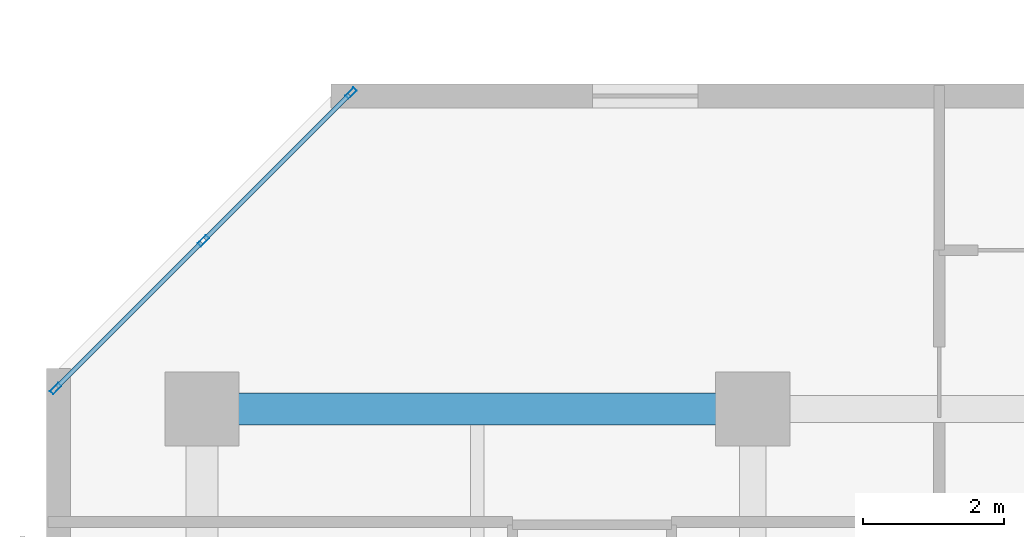
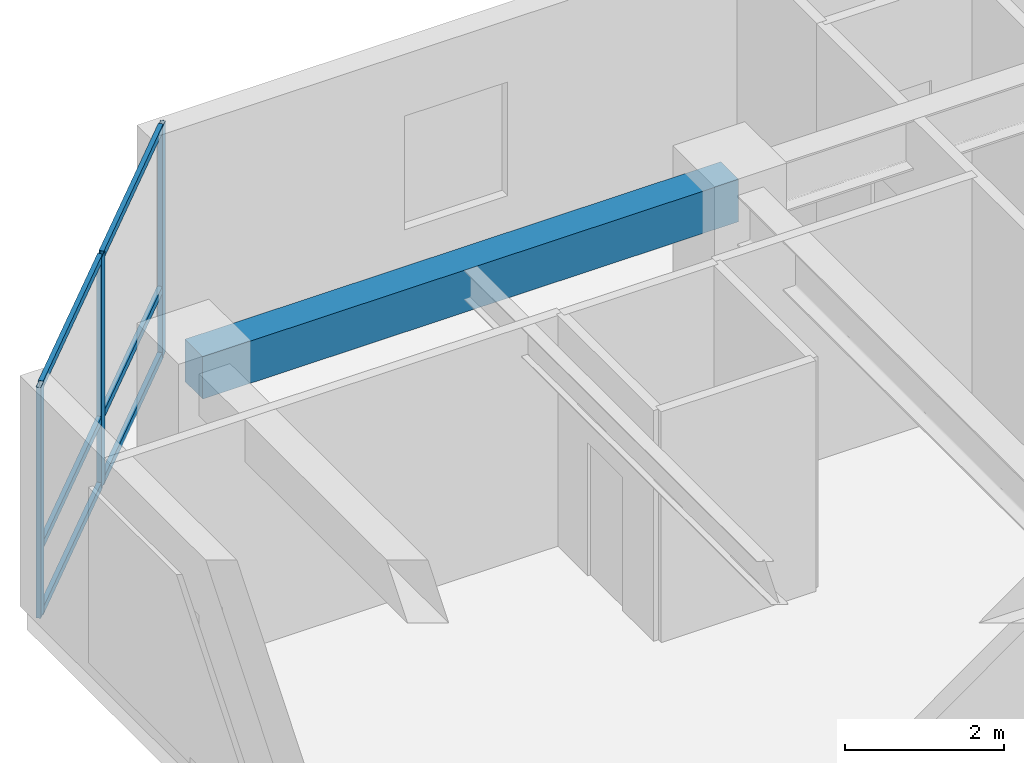
# One storey, part 2 of 10: 9 members, 1 beam, 1 element without a shape of its own.
"""IFC4 building model written with IfcOpenShell, lengths in metres."""

from ifc_helpers import new_model, si_unit, direction, frame, origin, origin_2d, place, context, subcontext, project, spatial, rectangle, hollow_rectangle, extrude, material, layer, layer_set, material_profile, profile_set, type_object, element, aggregate, save


model = new_model("IFC4")

# Units and contexts
model_context = context("Model", 3, precision=1e-05, world=origin(), true_north=direction((0.0, 1.0)))
body_context = subcontext(model_context, "Body", "Model", "MODEL_VIEW")
ifc_project = project(units=[si_unit("LENGTHUNIT", "METRE"), si_unit("AREAUNIT", "SQUARE_METRE"), si_unit("VOLUMEUNIT", "CUBIC_METRE"), si_unit("PLANEANGLEUNIT", "RADIAN"), si_unit("MASSUNIT", "GRAM", prefix="KILO")], contexts=[model_context])

# Site, building, storey
site_placement = place(None, origin())
site = spatial("IfcSite", under=ifc_project, at=site_placement, CompositionType="ELEMENT")
building_placement = place(site_placement, origin())
building = spatial("IfcBuilding", under=site, at=building_placement, Name="Kestravale Grand Hotel", CompositionType="ELEMENT")
storey_placement = place(building_placement, frame((0.0, 0.0, 142.199951171875)))
storey = spatial("IfcBuildingStorey", under=building, at=storey_placement, Name="L35", CompositionType="ELEMENT", Elevation=142.199951171875)

# Beam
ifc_material_1 = material(Name="Concrete f'c 45 MPa", Category="concrete")
ifc_material_profile_1 = material_profile(ifc_material_1, rectangle(XDim=0.449951171875, YDim=0.64990234375, at=origin_2d()))
ifc_profile_set_1 = profile_set([ifc_material_profile_1], Name="Concrete f'c 45 MPa")
beam_type = type_object("IfcBeamType", Name="B-FLR-RC650", PredefinedType="SPANDREL", material=ifc_profile_set_1)
beam_placement = place(storey_placement, frame((7.800048828125, 38.39990234375, 3.22509765625), z_axis=(1.0, 0.0, 0.0), x_axis=(0.0, 1.0, 0.0)))
element("IfcBeam", 1, at=beam_placement, inside=storey, type_object=beam_type, Name="L35 spandrel F:2-3", PredefinedType="SPANDREL", context=body_context, shape_type="SweptSolid", body=[
    extrude(rectangle(XDim=0.449951171875, YDim=0.64990234375, at=origin_2d()), origin(), (0.0, 0.0, 1.0), 7.800048828125),
])

# Curtain wall, members
ifc_material_2 = material(Name="Thermally broken champagne-bronze aluminium and low-E glazing", Category="aluminium")
ifc_layer = layer(ifc_material_2, 0.179931640625)
ifc_layer_set = layer_set([ifc_layer], Name="CW-Z3")
curtain_wall_type = type_object("IfcCurtainWallType", Name="CW-Z3", PredefinedType="NOTDEFINED", material=ifc_layer_set)
curtain_wall_placement = place(storey_placement, origin())
curtain_wall = element("IfcCurtainWall", 2, at=curtain_wall_placement, inside=storey, type_object=curtain_wall_type, Name="L35 unitised curtain wall 18", PredefinedType="NOTDEFINED")
ifc_material_3 = material(Name="Aluminium 6063-T6 anodised", Category="aluminium")
ifc_material_profile_2 = material_profile(ifc_material_3, hollow_rectangle(XDim=0.06494140625, YDim=0.1650390625, WallThickness=0.00341796875, at=origin_2d()))
ifc_profile_set_2 = profile_set([ifc_material_profile_2], Name="Aluminium 6063-T6 anodised")
member_type_1 = type_object("IfcMemberType", Name="CW-MUL-165", PredefinedType="MULLION", material=ifc_profile_set_2)
member_1_placement = place(storey_placement, frame((9.911376953125, 42.87109375, 0.0), z_axis=(0.0, 0.0, 1.0), x_axis=(0.707106781187, -0.707106781187, 0.0)))
member_1 = element("IfcMember", 3, at=member_1_placement, type_object=member_type_1, Name="CW-Z3 mullion 1", PredefinedType="MULLION", context=body_context, shape_type="SweptSolid", body=[
    extrude(hollow_rectangle(XDim=0.06494140625, YDim=0.1650390625, WallThickness=0.00341796875, at=origin_2d()), origin(), (0.0, 0.0, 1.0), 3.550048828125),
])
member_2_placement = place(storey_placement, frame((7.8203125, 40.77978515625, 0.0), z_axis=(0.0, 0.0, 1.0), x_axis=(0.707106781187, -0.707106781187, 0.0)))
member_2 = element("IfcMember", 4, at=member_2_placement, type_object=member_type_1, Name="CW-Z3 mullion 2", PredefinedType="MULLION", context=body_context, shape_type="SweptSolid", body=[
    extrude(hollow_rectangle(XDim=0.06494140625, YDim=0.1650390625, WallThickness=0.00341796875, at=origin_2d()), origin(), (0.0, 0.0, 1.0), 3.550048828125),
])
member_3_placement = place(storey_placement, frame((5.72900390625, 38.6884765625, 0.0), z_axis=(0.0, 0.0, 1.0), x_axis=(0.707106781187, -0.707106781187, 0.0)))
member_3 = element("IfcMember", 5, at=member_3_placement, type_object=member_type_1, Name="CW-Z3 mullion 3", PredefinedType="MULLION", context=body_context, shape_type="SweptSolid", body=[
    extrude(hollow_rectangle(XDim=0.06494140625, YDim=0.1650390625, WallThickness=0.00341796875, at=origin_2d()), origin(), (0.0, 0.0, 1.0), 3.550048828125),
])
ifc_material_4 = material(Name="Aluminium 6063-T6 anodised", Category="aluminium")
ifc_material_profile_3 = material_profile(ifc_material_4, hollow_rectangle(XDim=0.06494140625, YDim=0.114990234375, WallThickness=0.003173828125, at=origin_2d()))
ifc_profile_set_3 = profile_set([ifc_material_profile_3], Name="Aluminium 6063-T6 anodised")
member_type_2 = type_object("IfcMemberType", Name="CW-TRN-115", PredefinedType="USERDEFINED", material=ifc_profile_set_3)
member_4_placement = place(storey_placement, frame((9.888427734375, 42.84814453125, 0.032470703125), z_axis=(-0.707064577195, -0.707148982659, 0.0), x_axis=(0.707148982659, -0.707064577195, 0.0)))
member_4 = element("IfcMember", 6, at=member_4_placement, type_object=member_type_2, Name="CW-Z3 transom 1.1", ObjectType="TRANSOM", PredefinedType="USERDEFINED", context=body_context, shape_type="SweptSolid", body=[
    extrude(hollow_rectangle(XDim=0.06494140625, YDim=0.114990234375, WallThickness=0.003173828125, at=origin_2d()), origin(), (0.0, 0.0, 1.0), 2.892578125),
])
member_5_placement = place(storey_placement, frame((9.888427734375, 42.84814453125, 1.050048828125), z_axis=(-0.707064577195, -0.707148982659, 0.0), x_axis=(0.707148982659, -0.707064577195, 0.0)))
member_5 = element("IfcMember", 7, at=member_5_placement, type_object=member_type_2, Name="CW-Z3 transom 1.2", ObjectType="TRANSOM", PredefinedType="USERDEFINED", context=body_context, shape_type="SweptSolid", body=[
    extrude(hollow_rectangle(XDim=0.06494140625, YDim=0.114990234375, WallThickness=0.003173828125, at=origin_2d()), origin(), (0.0, 0.0, 1.0), 2.892578125),
])
member_6_placement = place(storey_placement, frame((9.888427734375, 42.84814453125, 3.517578125), z_axis=(-0.707064577195, -0.707148982659, 0.0), x_axis=(0.707148982659, -0.707064577195, 0.0)))
member_6 = element("IfcMember", 8, at=member_6_placement, type_object=member_type_2, Name="CW-Z3 transom 1.3", ObjectType="TRANSOM", PredefinedType="USERDEFINED", context=body_context, shape_type="SweptSolid", body=[
    extrude(hollow_rectangle(XDim=0.06494140625, YDim=0.114990234375, WallThickness=0.003173828125, at=origin_2d()), origin(), (0.0, 0.0, 1.0), 2.892578125),
])
member_7_placement = place(storey_placement, frame((7.797119140625, 40.7568359375, 0.032470703125), z_axis=(-0.707106781187, -0.707106781187, 0.0), x_axis=(0.707106781187, -0.707106781187, 0.0)))
member_7 = element("IfcMember", 9, at=member_7_placement, type_object=member_type_2, Name="CW-Z3 transom 2.1", ObjectType="TRANSOM", PredefinedType="USERDEFINED", context=body_context, shape_type="SweptSolid", body=[
    extrude(hollow_rectangle(XDim=0.06494140625, YDim=0.114990234375, WallThickness=0.003173828125, at=origin_2d()), origin(), (0.0, 0.0, 1.0), 2.892333984375),
])
member_8_placement = place(storey_placement, frame((7.797119140625, 40.7568359375, 1.050048828125), z_axis=(-0.707106781187, -0.707106781187, 0.0), x_axis=(0.707106781187, -0.707106781187, 0.0)))
member_8 = element("IfcMember", 10, at=member_8_placement, type_object=member_type_2, Name="CW-Z3 transom 2.2", ObjectType="TRANSOM", PredefinedType="USERDEFINED", context=body_context, shape_type="SweptSolid", body=[
    extrude(hollow_rectangle(XDim=0.06494140625, YDim=0.114990234375, WallThickness=0.003173828125, at=origin_2d()), origin(), (0.0, 0.0, 1.0), 2.892333984375),
])
member_9_placement = place(storey_placement, frame((7.797119140625, 40.7568359375, 3.517578125), z_axis=(-0.707106781187, -0.707106781187, 0.0), x_axis=(0.707106781187, -0.707106781187, 0.0)))
member_9 = element("IfcMember", 11, at=member_9_placement, type_object=member_type_2, Name="CW-Z3 transom 2.3", ObjectType="TRANSOM", PredefinedType="USERDEFINED", context=body_context, shape_type="SweptSolid", body=[
    extrude(hollow_rectangle(XDim=0.06494140625, YDim=0.114990234375, WallThickness=0.003173828125, at=origin_2d()), origin(), (0.0, 0.0, 1.0), 2.892333984375),
])
aggregate(curtain_wall, [member_1, member_2, member_3, member_4, member_5, member_6, member_7, member_8, member_9])

save(model, "model.ifc")
